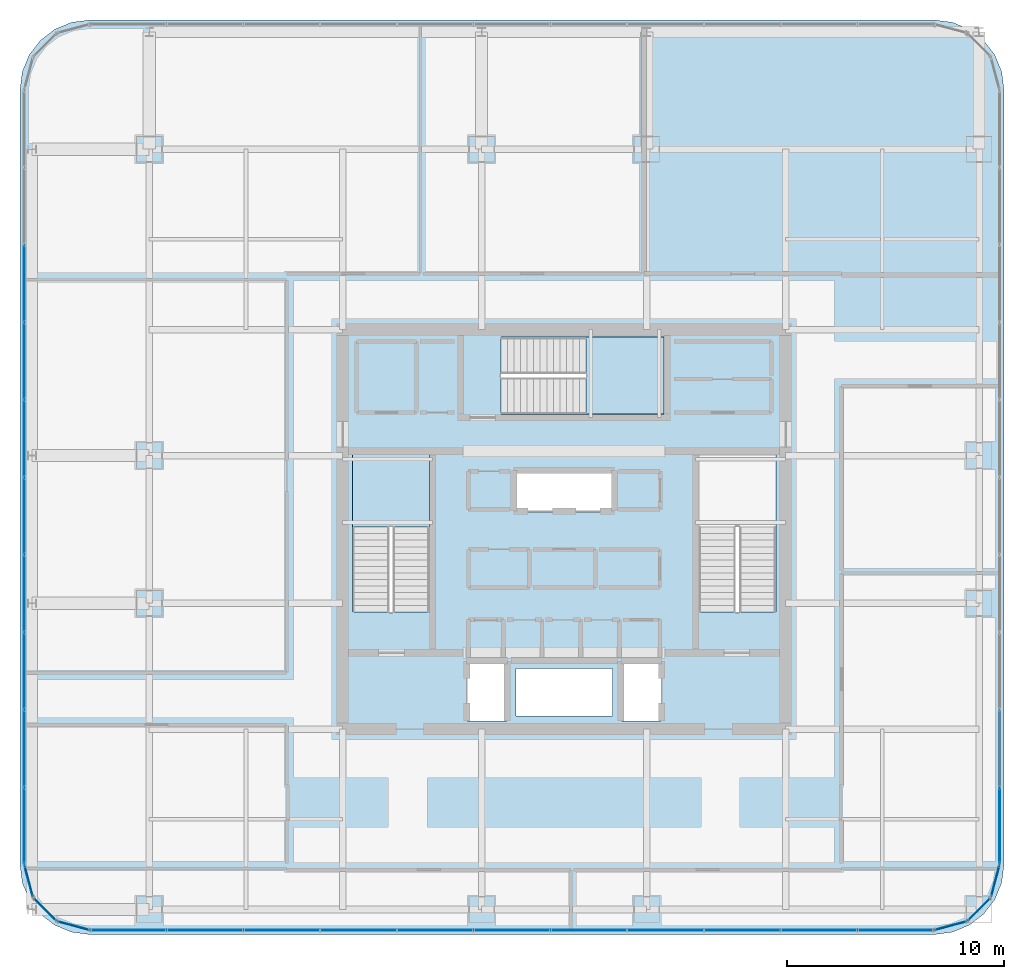
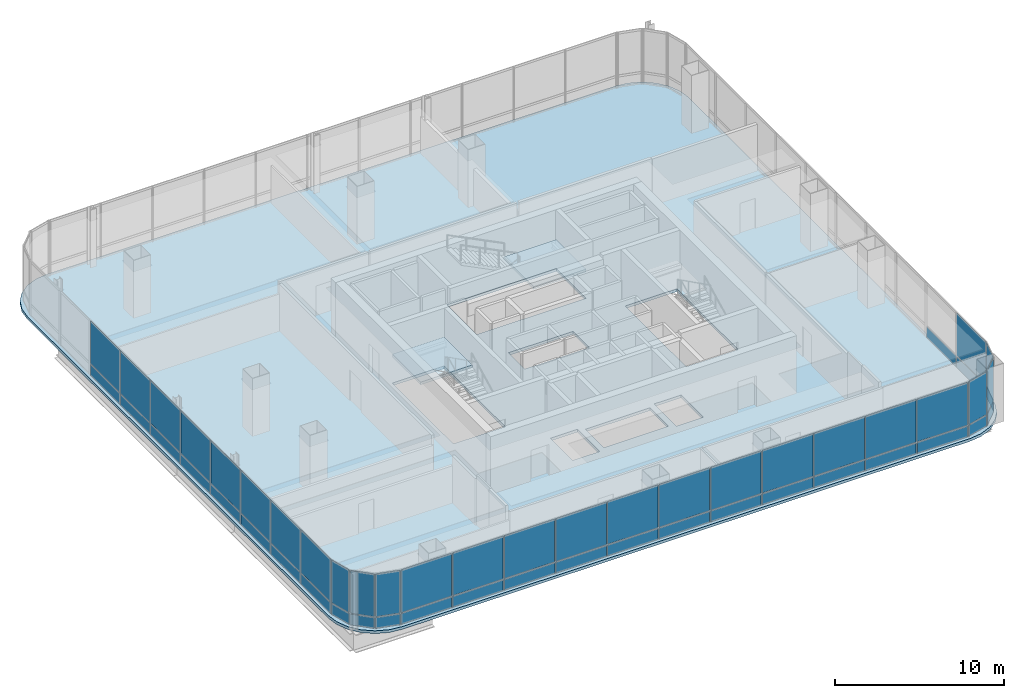
# One storey, part 32 of 41: 53 plates, 3 slabs, 11 elements without a shape of their own.
"""IFC4 building model written with IfcOpenShell, lengths in metres."""

import ifcopenshell
import ifcopenshell.guid

model = None  # the IFC model being written
_history = None  # IfcOwnerHistory: only IFC2X3 demands one
_inside = {}  # id of a spatial element -> (the spatial element, [elements in it])
_under = {}  # id of a project, library or spatial element -> (it, [spatial elements below it])
_declared = {}  # id of a project -> (the project, [libraries it declares])
_typed = {}  # id of a type object -> (the type object, [elements of that type])
_made_of = {}  # id of a material, layer set ... -> (it, [elements and type objects made of it])


def new_model(schema):
    """Start an empty IFC model of exactly this schema.

    Asked for "IFC4X3", IfcOpenShell would pick the latest addendum, in which some entities
    have other attributes; the version numbers below select the first issue.
    IFC2X3 requires an IfcOwnerHistory on every rooted entity: one is made here for all.
    """
    global model, _history
    if schema == "IFC4X3":
        model = ifcopenshell.file(schema_version=(4, 3, 0, 0))
    else:
        model = ifcopenshell.file(schema=schema)
    _inside.clear()
    _under.clear()
    _declared.clear()
    _typed.clear()
    _made_of.clear()
    _history = None
    if model.schema == "IFC2X3":
        org = make("IfcOrganization", Name="unknown")
        user = make(
            "IfcPersonAndOrganization",
            ThePerson=make("IfcPerson", FamilyName="unknown"),
            TheOrganization=org,
        )
        app = make(
            "IfcApplication",
            ApplicationDeveloper=org,
            Version="unknown",
            ApplicationFullName="unknown",
            ApplicationIdentifier="unknown",
        )
        _history = make(
            "IfcOwnerHistory",
            OwningUser=user,
            OwningApplication=app,
            ChangeAction="ADDED",
            CreationDate=0,
        )
    return model


def make(cls, **values):
    """One entity of the class cls with the attributes given. An attribute that is None is left unset."""
    return model.create_entity(
        cls, **{name: value for name, value in values.items() if value is not None}
    )


def rooted(cls, **values):
    """An entity with a GlobalId (a new one), such as an element, a storey or a relation."""
    return make(cls, GlobalId=ifcopenshell.guid.new(), OwnerHistory=_history, **values)


def si_unit(unit_type, name, prefix=None):
    """IfcSIUnit, for example si_unit("LENGTHUNIT", "METRE", prefix="MILLI")."""
    return make("IfcSIUnit", UnitType=unit_type, Prefix=prefix, Name=name)


def assignment(units):
    """IfcUnitAssignment: the units of a project."""
    return None if units is None else make("IfcUnitAssignment", Units=units)


def point(xyz):
    """IfcCartesianPoint."""
    return None if xyz is None else make("IfcCartesianPoint", Coordinates=xyz)


def direction(xyz):
    """IfcDirection."""
    return None if xyz is None else make("IfcDirection", DirectionRatios=xyz)


def frame(location, z_axis=None, x_axis=None):
    """IfcAxis2Placement3D, a coordinate frame: its origin and axes. An axis left out is left unset."""
    return make(
        "IfcAxis2Placement3D",
        Location=point(location),
        Axis=direction(z_axis),
        RefDirection=direction(x_axis),
    )


def frame_2d(location, x_axis=None):
    """IfcAxis2Placement2D, a coordinate frame in the plane: its origin and x axis."""
    return make(
        "IfcAxis2Placement2D", Location=point(location), RefDirection=direction(x_axis)
    )


def origin():
    """The frame at (0, 0, 0) with its axes left unset."""
    return frame((0.0, 0.0, 0.0))


def origin_2d():
    """The frame at (0, 0) in the plane with its x axis left unset."""
    return frame_2d((0.0, 0.0))


def place(relative_to, where):
    """IfcLocalPlacement: puts the frame where relative to a parent placement (None: the world)."""
    return make(
        "IfcLocalPlacement", PlacementRelTo=relative_to, RelativePlacement=where
    )


def context(
    kind, dimensions, precision=None, world=None, true_north=None, identifier=None
):
    """IfcGeometricRepresentationContext, for example the 3D "Model" context."""
    return make(
        "IfcGeometricRepresentationContext",
        ContextIdentifier=identifier,
        ContextType=kind,
        CoordinateSpaceDimension=dimensions,
        Precision=precision,
        WorldCoordinateSystem=world,
        TrueNorth=true_north,
    )


def subcontext(parent, identifier, kind, view, scale=None):
    """IfcGeometricRepresentationSubContext, for example "Body" below "Model"."""
    return make(
        "IfcGeometricRepresentationSubContext",
        ContextIdentifier=identifier,
        ContextType=kind,
        ParentContext=parent,
        TargetScale=scale,
        TargetView=view,
    )


def project(units=None, contexts=None):
    """IfcProject with its units and contexts."""
    return rooted(
        "IfcProject",
        Name="project",
        RepresentationContexts=contexts,
        UnitsInContext=assignment(units),
    )


def spatial(cls, under=None, at=None, **own):
    """A site, building, storey or space (cls), placed at a placement, below another one or the project."""
    s = rooted(cls, ObjectPlacement=at, **own)
    if under is not None:
        _under.setdefault(under.id(), (under, []))[1].append(s)
    return s


def polyline(points):
    """IfcPolyline through the points."""
    return make("IfcPolyline", Points=[point(p) for p in points])


def profile(cls, at=None, kind="AREA", **sizes):
    """A parametric profile (cls). Its sizes go by their IFC names, for example OverallWidth=200.0."""
    return make(cls, ProfileType=kind, Position=at, **sizes)


def rectangle(**sizes):
    """IfcRectangleProfileDef."""
    return profile("IfcRectangleProfileDef", **sizes)


def outline(outer, holes=None, kind="AREA"):
    """IfcArbitraryClosedProfileDef: a profile drawn as a closed curve; with holes, ...WithVoids."""
    if holes is None:
        return make("IfcArbitraryClosedProfileDef", ProfileType=kind, OuterCurve=outer)
    return make(
        "IfcArbitraryProfileDefWithVoids",
        ProfileType=kind,
        OuterCurve=outer,
        InnerCurves=holes,
    )


def extrude(swept, where, along, depth):
    """IfcExtrudedAreaSolid: the profile swept, set in the frame where, extruded along a direction by depth."""
    return make(
        "IfcExtrudedAreaSolid",
        SweptArea=swept,
        Position=where,
        ExtrudedDirection=direction(along),
        Depth=depth,
    )


def shape(context_of_items, identifier, shape_type, items):
    """IfcShapeRepresentation: the items that make up one representation, for example the "Body"."""
    return make(
        "IfcShapeRepresentation",
        ContextOfItems=context_of_items,
        RepresentationIdentifier=identifier,
        RepresentationType=shape_type,
        Items=items,
    )


def material(Name=None, Category=None):
    """IfcMaterial."""
    return make("IfcMaterial", Name=Name, Category=Category)


def layer(
    of_material, thickness, ventilated=None, Name=None, Category=None, Priority=None
):
    """IfcMaterialLayer: one layer of a wall or slab, of a material (None: an air gap)."""
    return make(
        "IfcMaterialLayer",
        Material=of_material,
        LayerThickness=thickness,
        IsVentilated=ventilated,
        Name=Name,
        Category=Category,
        Priority=Priority,
    )


def layer_set(layers, Name=None):
    """IfcMaterialLayerSet."""
    return make("IfcMaterialLayerSet", MaterialLayers=layers, LayerSetName=Name)


def made_of(thing, what):
    """Note that an element or type object is made of a material, layer set ...; save() writes the relation."""
    if what is not None:
        _made_of.setdefault(what.id(), (what, []))[1].append(thing)
    return thing


def type_object(cls, material=None, **own):
    """A type object (cls), such as IfcWallType, which elements share."""
    return made_of(rooted(cls, **own), material)


def element(
    cls,
    number,
    at=None,
    inside=None,
    cuts=None,
    type_object=None,
    material=None,
    context=None,
    identifier="Body",
    shape_type=None,
    held_by="IfcProductDefinitionShape",
    body=None,
    shapes=None,
    **own,
):
    """One element of the class cls, such as IfcWall. Its Tag is "e" and its number.

    at: its placement. inside: the storey or other place that contains it. cuts: it is an
    opening in that element (IfcRelVoidsElement). A single representation is given by context,
    identifier, shape_type and body (its items); several are given by shapes. held_by: the class
    of the entity that holds the representations. save() writes the other relations.
    """
    e = rooted(cls, Tag="e%d" % number, ObjectPlacement=at, **own)
    if body is not None:
        shapes = [shape(context, identifier, shape_type, body)]
    if shapes is not None:
        e.Representation = make(held_by, Representations=shapes)
    if inside is not None:
        _inside.setdefault(inside.id(), (inside, []))[1].append(e)
    if cuts is not None:
        rooted(
            "IfcRelVoidsElement", RelatingBuildingElement=cuts, RelatedOpeningElement=e
        )
    if type_object is not None:
        _typed.setdefault(type_object.id(), (type_object, []))[1].append(e)
    return made_of(e, material)


def aggregate(whole, parts):
    """IfcRelAggregates: a whole, such as a stair, and the parts it consists of."""
    return rooted("IfcRelAggregates", RelatingObject=whole, RelatedObjects=parts)


def save(model, path):
    """Write the relations noted so far, then the file.

    IfcRelAggregates (storeys below a building ...), IfcRelContainedInSpatialStructure (elements
    in a storey), IfcRelDefinesByType, IfcRelAssociatesMaterial and IfcRelDeclares: one each for
    every whole, place, type object, material and project.
    """
    for whole, parts in _under.values():
        aggregate(whole, parts)
    for where, things in _inside.values():
        rooted(
            "IfcRelContainedInSpatialStructure",
            RelatedElements=things,
            RelatingStructure=where,
        )
    for kind, things in _typed.values():
        rooted("IfcRelDefinesByType", RelatedObjects=things, RelatingType=kind)
    for what, things in _made_of.values():
        rooted("IfcRelAssociatesMaterial", RelatedObjects=things, RelatingMaterial=what)
    for by, libraries in _declared.values():
        rooted("IfcRelDeclares", RelatingContext=by, RelatedDefinitions=libraries)
    model.write(path)


model = new_model("IFC4")

# Units and contexts
model_context = context("Model", 3, precision=1e-05, world=origin(), true_north=direction((0.0, 1.0)))
body_context = subcontext(model_context, "Body", "Model", "MODEL_VIEW")
ifc_project = project(units=[si_unit("LENGTHUNIT", "METRE"), si_unit("AREAUNIT", "SQUARE_METRE"), si_unit("VOLUMEUNIT", "CUBIC_METRE"), si_unit("PLANEANGLEUNIT", "RADIAN"), si_unit("MASSUNIT", "GRAM", prefix="KILO")], contexts=[model_context])

# Site, building, storey
site_placement = place(None, origin())
site = spatial("IfcSite", under=ifc_project, at=site_placement, CompositionType="ELEMENT")
building_placement = place(site_placement, origin())
building = spatial("IfcBuilding", under=site, at=building_placement, Name="Punatoya Terracotta Tower", CompositionType="ELEMENT")
storey_placement = place(building_placement, frame((0.0, 0.0, 288.0)))
storey = spatial("IfcBuildingStorey", under=building, at=storey_placement, Name="L68", CompositionType="ELEMENT", Elevation=288.0)

# Curtain wall, plates
ifc_material_1 = material(Name="Aluminium 6063-T6 + Double Low-E Glass", Category="aluminium")
curtain_wall_type = type_object("IfcCurtainWallType", Name="CW-M3", PredefinedType="NOTDEFINED", material=ifc_material_1)
curtain_wall_1_placement = place(storey_placement, origin())
curtain_wall_1 = element("IfcCurtainWall", 1, at=curtain_wall_1_placement, inside=storey, type_object=curtain_wall_type, Name="L68 Curtain Wall CW-L68-S01-1", PredefinedType="NOTDEFINED")
ifc_material_2 = material(Name="Double Low-E Acoustic Vision Glass", Category="glass")
ifc_layer_1 = layer(ifc_material_2, 0.031982421875)
ifc_layer_set_1 = layer_set([ifc_layer_1], Name="Double Low-E Acoustic Vision Glass")
plate_type_1 = type_object("IfcPlateType", Name="PLT-GLZ-32", PredefinedType="CURTAIN_PANEL", material=ifc_layer_set_1)
plate_1_placement = place(storey_placement, frame((-20.06982421875, -18.449951171875, 0.89013671875), z_axis=(0.0, 0.0, 1.0), x_axis=(1.0, 0.0, 0.0)))
plate_1 = element("IfcPlate", 2, at=plate_1_placement, type_object=plate_type_1, Name="CW-L68-S01-1 Vision Glass Panel 1", PredefinedType="CURTAIN_PANEL", context=body_context, shape_type="SweptSolid", body=[
    extrude(rectangle(XDim=3.448974609375, YDim=0.031982421875, at=origin_2d()), origin(), (0.0, 0.0, 1.0), 3.070068359375),
])
plate_2_placement = place(storey_placement, frame((-16.535888671875, -18.449951171875, 0.89013671875), z_axis=(0.0, 0.0, 1.0), x_axis=(1.0, 0.0, 0.0)))
plate_2 = element("IfcPlate", 3, at=plate_2_placement, type_object=plate_type_1, Name="CW-L68-S01-1 Vision Glass Panel 2", PredefinedType="CURTAIN_PANEL", context=body_context, shape_type="SweptSolid", body=[
    extrude(rectangle(XDim=3.448974609375, YDim=0.031982421875, at=origin_2d()), origin(), (0.0, 0.0, 1.0), 3.070068359375),
])
plate_3_placement = place(storey_placement, frame((-13.001953125, -18.449951171875, 0.89013671875), z_axis=(0.0, 0.0, 1.0), x_axis=(1.0, 0.0, 0.0)))
plate_3 = element("IfcPlate", 4, at=plate_3_placement, type_object=plate_type_1, Name="CW-L68-S01-1 Vision Glass Panel 3", PredefinedType="CURTAIN_PANEL", context=body_context, shape_type="SweptSolid", body=[
    extrude(rectangle(XDim=3.448974609375, YDim=0.031982421875, at=origin_2d()), origin(), (0.0, 0.0, 1.0), 3.070068359375),
])
plate_4_placement = place(storey_placement, frame((-9.468017578125, -18.449951171875, 0.89013671875), z_axis=(0.0, 0.0, 1.0), x_axis=(1.0, 0.0, 0.0)))
plate_4 = element("IfcPlate", 5, at=plate_4_placement, type_object=plate_type_1, Name="CW-L68-S01-1 Vision Glass Panel 4", PredefinedType="CURTAIN_PANEL", context=body_context, shape_type="SweptSolid", body=[
    extrude(rectangle(XDim=3.448974609375, YDim=0.031982421875, at=origin_2d()), origin(), (0.0, 0.0, 1.0), 3.070068359375),
])
plate_5_placement = place(storey_placement, frame((-5.93408203125, -18.449951171875, 0.89013671875), z_axis=(0.0, 0.0, 1.0), x_axis=(1.0, 0.0, 0.0)))
plate_5 = element("IfcPlate", 6, at=plate_5_placement, type_object=plate_type_1, Name="CW-L68-S01-1 Vision Glass Panel 5", PredefinedType="CURTAIN_PANEL", context=body_context, shape_type="SweptSolid", body=[
    extrude(rectangle(XDim=3.448974609375, YDim=0.031982421875, at=origin_2d()), origin(), (0.0, 0.0, 1.0), 3.070068359375),
])
plate_6_placement = place(storey_placement, frame((-2.39990234375, -18.449951171875, 0.89013671875), z_axis=(0.0, 0.0, 1.0), x_axis=(1.0, 0.0, 0.0)))
plate_6 = element("IfcPlate", 7, at=plate_6_placement, type_object=plate_type_1, Name="CW-L68-S01-1 Vision Glass Panel 6", PredefinedType="CURTAIN_PANEL", context=body_context, shape_type="SweptSolid", body=[
    extrude(rectangle(XDim=3.448974609375, YDim=0.031982421875, at=origin_2d()), origin(), (0.0, 0.0, 1.0), 3.070068359375),
])
plate_7_placement = place(storey_placement, frame((1.134033203125, -18.449951171875, 0.89013671875), z_axis=(0.0, 0.0, 1.0), x_axis=(1.0, 0.0, 0.0)))
plate_7 = element("IfcPlate", 8, at=plate_7_placement, type_object=plate_type_1, Name="CW-L68-S01-1 Vision Glass Panel 7", PredefinedType="CURTAIN_PANEL", context=body_context, shape_type="SweptSolid", body=[
    extrude(rectangle(XDim=3.448974609375, YDim=0.031982421875, at=origin_2d()), origin(), (0.0, 0.0, 1.0), 3.070068359375),
])
plate_8_placement = place(storey_placement, frame((4.66796875, -18.449951171875, 0.89013671875), z_axis=(0.0, 0.0, 1.0), x_axis=(1.0, 0.0, 0.0)))
plate_8 = element("IfcPlate", 9, at=plate_8_placement, type_object=plate_type_1, Name="CW-L68-S01-1 Vision Glass Panel 8", PredefinedType="CURTAIN_PANEL", context=body_context, shape_type="SweptSolid", body=[
    extrude(rectangle(XDim=3.448974609375, YDim=0.031982421875, at=origin_2d()), origin(), (0.0, 0.0, 1.0), 3.070068359375),
])
plate_9_placement = place(storey_placement, frame((8.201904296875, -18.449951171875, 0.89013671875), z_axis=(0.0, 0.0, 1.0), x_axis=(1.0, 0.0, 0.0)))
plate_9 = element("IfcPlate", 10, at=plate_9_placement, type_object=plate_type_1, Name="CW-L68-S01-1 Vision Glass Panel 9", PredefinedType="CURTAIN_PANEL", context=body_context, shape_type="SweptSolid", body=[
    extrude(rectangle(XDim=3.448974609375, YDim=0.031982421875, at=origin_2d()), origin(), (0.0, 0.0, 1.0), 3.070068359375),
])
plate_10_placement = place(storey_placement, frame((11.73583984375, -18.449951171875, 0.89013671875), z_axis=(0.0, 0.0, 1.0), x_axis=(1.0, 0.0, 0.0)))
plate_10 = element("IfcPlate", 11, at=plate_10_placement, type_object=plate_type_1, Name="CW-L68-S01-1 Vision Glass Panel 10", PredefinedType="CURTAIN_PANEL", context=body_context, shape_type="SweptSolid", body=[
    extrude(rectangle(XDim=3.448974609375, YDim=0.031982421875, at=origin_2d()), origin(), (0.0, 0.0, 1.0), 3.070068359375),
])
plate_11_placement = place(storey_placement, frame((15.27001953125, -18.449951171875, 0.89013671875), z_axis=(0.0, 0.0, 1.0), x_axis=(1.0, 0.0, 0.0)))
plate_11 = element("IfcPlate", 12, at=plate_11_placement, type_object=plate_type_1, Name="CW-L68-S01-1 Vision Glass Panel 11", PredefinedType="CURTAIN_PANEL", context=body_context, shape_type="SweptSolid", body=[
    extrude(rectangle(XDim=3.448974609375, YDim=0.031982421875, at=origin_2d()), origin(), (0.0, 0.0, 1.0), 3.070068359375),
])

# Curtain wall, plate
curtain_wall_2_placement = place(storey_placement, origin())
curtain_wall_2 = element("IfcCurtainWall", 13, at=curtain_wall_2_placement, inside=storey, type_object=curtain_wall_type, Name="L68 Curtain Wall CW-L68-CRN02", PredefinedType="NOTDEFINED")
plate_12_placement = place(storey_placement, frame((17.79296875, -18.248291015625, 0.89013671875), z_axis=(0.0, 0.0, 1.0), x_axis=(0.966213877436, 0.257741620719, 0.0)))
plate_12 = element("IfcPlate", 14, at=plate_12_placement, type_object=plate_type_1, Name="CW-L68-CRN02 Vision Glass Panel 1", PredefinedType="CURTAIN_PANEL", context=body_context, shape_type="SweptSolid", body=[
    extrude(rectangle(XDim=1.47998046875, YDim=0.031982421875, at=origin_2d()), origin(), (0.0, 0.0, 1.0), 3.070068359375),
])

curtain_wall_3_placement = place(storey_placement, origin())
curtain_wall_3 = element("IfcCurtainWall", 15, at=curtain_wall_3_placement, inside=storey, type_object=curtain_wall_type, Name="L68 Curtain Wall CW-L68-CRN03", PredefinedType="NOTDEFINED")
plate_13_placement = place(storey_placement, frame((19.097900390625, -17.497802734375, 0.89013671875), z_axis=(0.0, 0.0, 1.0), x_axis=(0.707106781187, 0.707106781187, 0.0)))
plate_13 = element("IfcPlate", 16, at=plate_13_placement, type_object=plate_type_1, Name="CW-L68-CRN03 Vision Glass Panel 1", PredefinedType="CURTAIN_PANEL", context=body_context, shape_type="SweptSolid", body=[
    extrude(rectangle(XDim=1.467041015625, YDim=0.031982421875, at=origin_2d()), origin(), (0.0, 0.0, 1.0), 3.070068359375),
])

curtain_wall_4_placement = place(storey_placement, origin())
curtain_wall_4 = element("IfcCurtainWall", 17, at=curtain_wall_4_placement, inside=storey, type_object=curtain_wall_type, Name="L68 Curtain Wall CW-L68-CRN04", PredefinedType="NOTDEFINED")
plate_14_placement = place(storey_placement, frame((19.848388671875, -16.193115234375, 0.89013671875), z_axis=(0.0, 0.0, 1.0), x_axis=(0.257741620719, 0.966213877436, 0.0)))
plate_14 = element("IfcPlate", 18, at=plate_14_placement, type_object=plate_type_1, Name="CW-L68-CRN04 Vision Glass Panel 1", PredefinedType="CURTAIN_PANEL", context=body_context, shape_type="SweptSolid", body=[
    extrude(rectangle(XDim=1.47998046875, YDim=0.031982421875, at=origin_2d()), origin(), (0.0, 0.0, 1.0), 3.070068359375),
])

curtain_wall_5_placement = place(storey_placement, origin())
curtain_wall_5 = element("IfcCurtainWall", 19, at=curtain_wall_5_placement, inside=storey, type_object=curtain_wall_type, Name="L68 Curtain Wall CW-L68-E05-1", PredefinedType="NOTDEFINED")
plate_15_placement = place(storey_placement, frame((20.050048828125, -13.6533203125, 0.89013671875), z_axis=(0.0, 0.0, 1.0), x_axis=(0.0, 1.0, 0.0)))
plate_15 = element("IfcPlate", 20, at=plate_15_placement, type_object=plate_type_1, Name="CW-L68-E05-1 Vision Glass Panel 1", PredefinedType="CURTAIN_PANEL", context=body_context, shape_type="SweptSolid", body=[
    extrude(rectangle(XDim=3.482421875, YDim=0.031982421875, at=origin_2d()), origin(), (0.0, 0.0, 1.0), 3.070068359375),
])

# Curtain wall, plates
curtain_wall_6_placement = place(storey_placement, origin())
curtain_wall_6 = element("IfcCurtainWall", 21, at=curtain_wall_6_placement, inside=storey, type_object=curtain_wall_type, Name="L68 Curtain Wall CW-L68-W13-1", PredefinedType="NOTDEFINED")
plate_16_placement = place(storey_placement, frame((-24.85009765625, 11.318359375, 0.89013671875), z_axis=(0.0, 0.0, 1.0), x_axis=(0.0, -1.0, 0.0)))
plate_16 = element("IfcPlate", 22, at=plate_16_placement, type_object=plate_type_1, Name="CW-L68-W13-1 Vision Glass Panel 3", PredefinedType="CURTAIN_PANEL", context=body_context, shape_type="SweptSolid", body=[
    extrude(rectangle(XDim=3.482421875, YDim=0.031982421875, at=origin_2d()), origin(), (0.0, 0.0, 1.0), 3.070068359375),
])
plate_17_placement = place(storey_placement, frame((-24.85009765625, 7.751220703125, 0.89013671875), z_axis=(0.0, 0.0, 1.0), x_axis=(0.0, -1.0, 0.0)))
plate_17 = element("IfcPlate", 23, at=plate_17_placement, type_object=plate_type_1, Name="CW-L68-W13-1 Vision Glass Panel 4", PredefinedType="CURTAIN_PANEL", context=body_context, shape_type="SweptSolid", body=[
    extrude(rectangle(XDim=3.482421875, YDim=0.031982421875, at=origin_2d()), origin(), (0.0, 0.0, 1.0), 3.070068359375),
])
plate_18_placement = place(storey_placement, frame((-24.85009765625, 4.18359375, 0.89013671875), z_axis=(0.0, 0.0, 1.0), x_axis=(0.0, -1.0, 0.0)))
plate_18 = element("IfcPlate", 24, at=plate_18_placement, type_object=plate_type_1, Name="CW-L68-W13-1 Vision Glass Panel 5", PredefinedType="CURTAIN_PANEL", context=body_context, shape_type="SweptSolid", body=[
    extrude(rectangle(XDim=3.482421875, YDim=0.031982421875, at=origin_2d()), origin(), (0.0, 0.0, 1.0), 3.070068359375),
])
plate_19_placement = place(storey_placement, frame((-24.85009765625, 0.6162109375, 0.89013671875), z_axis=(0.0, 0.0, 1.0), x_axis=(0.0, -1.0, 0.0)))
plate_19 = element("IfcPlate", 25, at=plate_19_placement, type_object=plate_type_1, Name="CW-L68-W13-1 Vision Glass Panel 6", PredefinedType="CURTAIN_PANEL", context=body_context, shape_type="SweptSolid", body=[
    extrude(rectangle(XDim=3.482421875, YDim=0.031982421875, at=origin_2d()), origin(), (0.0, 0.0, 1.0), 3.070068359375),
])
plate_20_placement = place(storey_placement, frame((-24.85009765625, -2.951171875, 0.89013671875), z_axis=(0.0, 0.0, 1.0), x_axis=(0.0, -1.0, 0.0)))
plate_20 = element("IfcPlate", 26, at=plate_20_placement, type_object=plate_type_1, Name="CW-L68-W13-1 Vision Glass Panel 7", PredefinedType="CURTAIN_PANEL", context=body_context, shape_type="SweptSolid", body=[
    extrude(rectangle(XDim=3.482421875, YDim=0.031982421875, at=origin_2d()), origin(), (0.0, 0.0, 1.0), 3.070068359375),
])
plate_21_placement = place(storey_placement, frame((-24.85009765625, -6.518310546875, 0.89013671875), z_axis=(0.0, 0.0, 1.0), x_axis=(0.0, -1.0, 0.0)))
plate_21 = element("IfcPlate", 27, at=plate_21_placement, type_object=plate_type_1, Name="CW-L68-W13-1 Vision Glass Panel 8", PredefinedType="CURTAIN_PANEL", context=body_context, shape_type="SweptSolid", body=[
    extrude(rectangle(XDim=3.482421875, YDim=0.031982421875, at=origin_2d()), origin(), (0.0, 0.0, 1.0), 3.070068359375),
])
plate_22_placement = place(storey_placement, frame((-24.85009765625, -10.085693359375, 0.89013671875), z_axis=(0.0, 0.0, 1.0), x_axis=(0.0, -1.0, 0.0)))
plate_22 = element("IfcPlate", 28, at=plate_22_placement, type_object=plate_type_1, Name="CW-L68-W13-1 Vision Glass Panel 9", PredefinedType="CURTAIN_PANEL", context=body_context, shape_type="SweptSolid", body=[
    extrude(rectangle(XDim=3.482421875, YDim=0.031982421875, at=origin_2d()), origin(), (0.0, 0.0, 1.0), 3.070068359375),
])
plate_23_placement = place(storey_placement, frame((-24.85009765625, -13.6533203125, 0.89013671875), z_axis=(0.0, 0.0, 1.0), x_axis=(0.0, -1.0, 0.0)))
plate_23 = element("IfcPlate", 29, at=plate_23_placement, type_object=plate_type_1, Name="CW-L68-W13-1 Vision Glass Panel 10", PredefinedType="CURTAIN_PANEL", context=body_context, shape_type="SweptSolid", body=[
    extrude(rectangle(XDim=3.482421875, YDim=0.031982421875, at=origin_2d()), origin(), (0.0, 0.0, 1.0), 3.070068359375),
])

# Curtain wall, plate
curtain_wall_7_placement = place(storey_placement, origin())
curtain_wall_7 = element("IfcCurtainWall", 30, at=curtain_wall_7_placement, inside=storey, type_object=curtain_wall_type, Name="L68 Curtain Wall CW-L68-CRN14", PredefinedType="NOTDEFINED")
plate_24_placement = place(storey_placement, frame((-24.648193359375, -16.193115234375, 0.89013671875), z_axis=(0.0, 0.0, 1.0), x_axis=(0.257741620719, -0.966213877436, 0.0)))
plate_24 = element("IfcPlate", 31, at=plate_24_placement, type_object=plate_type_1, Name="CW-L68-CRN14 Vision Glass Panel 1", PredefinedType="CURTAIN_PANEL", context=body_context, shape_type="SweptSolid", body=[
    extrude(rectangle(XDim=1.47998046875, YDim=0.031982421875, at=origin_2d()), origin(), (0.0, 0.0, 1.0), 3.070068359375),
])

curtain_wall_8_placement = place(storey_placement, origin())
curtain_wall_8 = element("IfcCurtainWall", 32, at=curtain_wall_8_placement, inside=storey, type_object=curtain_wall_type, Name="L68 Curtain Wall CW-L68-CRN15", PredefinedType="NOTDEFINED")
plate_25_placement = place(storey_placement, frame((-23.89794921875, -17.497802734375, 0.89013671875), z_axis=(0.0, 0.0, 1.0), x_axis=(0.707106781187, -0.707106781187, 0.0)))
plate_25 = element("IfcPlate", 33, at=plate_25_placement, type_object=plate_type_1, Name="CW-L68-CRN15 Vision Glass Panel 1", PredefinedType="CURTAIN_PANEL", context=body_context, shape_type="SweptSolid", body=[
    extrude(rectangle(XDim=1.467041015625, YDim=0.031982421875, at=origin_2d()), origin(), (0.0, 0.0, 1.0), 3.070068359375),
])

curtain_wall_9_placement = place(storey_placement, origin())
curtain_wall_9 = element("IfcCurtainWall", 34, at=curtain_wall_9_placement, inside=storey, type_object=curtain_wall_type, Name="L68 Curtain Wall CW-L68-CRN16", PredefinedType="NOTDEFINED")
plate_26_placement = place(storey_placement, frame((-22.593017578125, -18.248291015625, 0.89013671875), z_axis=(0.0, 0.0, 1.0), x_axis=(0.966213877436, -0.257741620719, 0.0)))
plate_26 = element("IfcPlate", 35, at=plate_26_placement, type_object=plate_type_1, Name="CW-L68-CRN16 Vision Glass Panel 1", PredefinedType="CURTAIN_PANEL", context=body_context, shape_type="SweptSolid", body=[
    extrude(rectangle(XDim=1.47998046875, YDim=0.031982421875, at=origin_2d()), origin(), (0.0, 0.0, 1.0), 3.070068359375),
])

# Plate
ifc_material_3 = material(Name="Insulated Terracotta-Backed Spandrel Panel", Category="masonry")
ifc_layer_2 = layer(ifc_material_3, 0.044921875)
ifc_layer_set_2 = layer_set([ifc_layer_2], Name="Insulated Terracotta-Backed Spandrel Panel")
plate_type_2 = type_object("IfcPlateType", Name="PLT-SPN-45", PredefinedType="CURTAIN_PANEL", material=ifc_layer_set_2)
plate_27_placement = place(storey_placement, frame((-20.06982421875, -18.449951171875, 0.0400390625), z_axis=(0.0, 0.0, 1.0), x_axis=(1.0, 0.0, 0.0)))
plate_27 = element("IfcPlate", 36, at=plate_27_placement, type_object=plate_type_2, Name="CW-L68-S01-1 Terracotta Spandrel Panel 1", PredefinedType="CURTAIN_PANEL", context=body_context, shape_type="SweptSolid", body=[
    extrude(rectangle(XDim=3.448974609375, YDim=0.044921875, at=origin_2d()), origin(), (0.0, 0.0, 1.0), 0.77490234375),
])

plate_28_placement = place(storey_placement, frame((-16.535888671875, -18.449951171875, 0.0400390625), z_axis=(0.0, 0.0, 1.0), x_axis=(1.0, 0.0, 0.0)))
plate_28 = element("IfcPlate", 37, at=plate_28_placement, type_object=plate_type_2, Name="CW-L68-S01-1 Terracotta Spandrel Panel 2", PredefinedType="CURTAIN_PANEL", context=body_context, shape_type="SweptSolid", body=[
    extrude(rectangle(XDim=3.448974609375, YDim=0.044921875, at=origin_2d()), origin(), (0.0, 0.0, 1.0), 0.77490234375),
])

plate_29_placement = place(storey_placement, frame((-13.001953125, -18.449951171875, 0.0400390625), z_axis=(0.0, 0.0, 1.0), x_axis=(1.0, 0.0, 0.0)))
plate_29 = element("IfcPlate", 38, at=plate_29_placement, type_object=plate_type_2, Name="CW-L68-S01-1 Terracotta Spandrel Panel 3", PredefinedType="CURTAIN_PANEL", context=body_context, shape_type="SweptSolid", body=[
    extrude(rectangle(XDim=3.448974609375, YDim=0.044921875, at=origin_2d()), origin(), (0.0, 0.0, 1.0), 0.77490234375),
])

plate_30_placement = place(storey_placement, frame((-9.468017578125, -18.449951171875, 0.0400390625), z_axis=(0.0, 0.0, 1.0), x_axis=(1.0, 0.0, 0.0)))
plate_30 = element("IfcPlate", 39, at=plate_30_placement, type_object=plate_type_2, Name="CW-L68-S01-1 Terracotta Spandrel Panel 4", PredefinedType="CURTAIN_PANEL", context=body_context, shape_type="SweptSolid", body=[
    extrude(rectangle(XDim=3.448974609375, YDim=0.044921875, at=origin_2d()), origin(), (0.0, 0.0, 1.0), 0.77490234375),
])

plate_31_placement = place(storey_placement, frame((-5.93408203125, -18.449951171875, 0.0400390625), z_axis=(0.0, 0.0, 1.0), x_axis=(1.0, 0.0, 0.0)))
plate_31 = element("IfcPlate", 40, at=plate_31_placement, type_object=plate_type_2, Name="CW-L68-S01-1 Terracotta Spandrel Panel 5", PredefinedType="CURTAIN_PANEL", context=body_context, shape_type="SweptSolid", body=[
    extrude(rectangle(XDim=3.448974609375, YDim=0.044921875, at=origin_2d()), origin(), (0.0, 0.0, 1.0), 0.77490234375),
])

plate_32_placement = place(storey_placement, frame((-2.39990234375, -18.449951171875, 0.0400390625), z_axis=(0.0, 0.0, 1.0), x_axis=(1.0, 0.0, 0.0)))
plate_32 = element("IfcPlate", 41, at=plate_32_placement, type_object=plate_type_2, Name="CW-L68-S01-1 Terracotta Spandrel Panel 6", PredefinedType="CURTAIN_PANEL", context=body_context, shape_type="SweptSolid", body=[
    extrude(rectangle(XDim=3.448974609375, YDim=0.044921875, at=origin_2d()), origin(), (0.0, 0.0, 1.0), 0.77490234375),
])

plate_33_placement = place(storey_placement, frame((1.134033203125, -18.449951171875, 0.0400390625), z_axis=(0.0, 0.0, 1.0), x_axis=(1.0, 0.0, 0.0)))
plate_33 = element("IfcPlate", 42, at=plate_33_placement, type_object=plate_type_2, Name="CW-L68-S01-1 Terracotta Spandrel Panel 7", PredefinedType="CURTAIN_PANEL", context=body_context, shape_type="SweptSolid", body=[
    extrude(rectangle(XDim=3.448974609375, YDim=0.044921875, at=origin_2d()), origin(), (0.0, 0.0, 1.0), 0.77490234375),
])

plate_34_placement = place(storey_placement, frame((4.66796875, -18.449951171875, 0.0400390625), z_axis=(0.0, 0.0, 1.0), x_axis=(1.0, 0.0, 0.0)))
plate_34 = element("IfcPlate", 43, at=plate_34_placement, type_object=plate_type_2, Name="CW-L68-S01-1 Terracotta Spandrel Panel 8", PredefinedType="CURTAIN_PANEL", context=body_context, shape_type="SweptSolid", body=[
    extrude(rectangle(XDim=3.448974609375, YDim=0.044921875, at=origin_2d()), origin(), (0.0, 0.0, 1.0), 0.77490234375),
])

plate_35_placement = place(storey_placement, frame((8.201904296875, -18.449951171875, 0.0400390625), z_axis=(0.0, 0.0, 1.0), x_axis=(1.0, 0.0, 0.0)))
plate_35 = element("IfcPlate", 44, at=plate_35_placement, type_object=plate_type_2, Name="CW-L68-S01-1 Terracotta Spandrel Panel 9", PredefinedType="CURTAIN_PANEL", context=body_context, shape_type="SweptSolid", body=[
    extrude(rectangle(XDim=3.448974609375, YDim=0.044921875, at=origin_2d()), origin(), (0.0, 0.0, 1.0), 0.77490234375),
])

plate_36_placement = place(storey_placement, frame((11.73583984375, -18.449951171875, 0.0400390625), z_axis=(0.0, 0.0, 1.0), x_axis=(1.0, 0.0, 0.0)))
plate_36 = element("IfcPlate", 45, at=plate_36_placement, type_object=plate_type_2, Name="CW-L68-S01-1 Terracotta Spandrel Panel 10", PredefinedType="CURTAIN_PANEL", context=body_context, shape_type="SweptSolid", body=[
    extrude(rectangle(XDim=3.448974609375, YDim=0.044921875, at=origin_2d()), origin(), (0.0, 0.0, 1.0), 0.77490234375),
])

plate_37_placement = place(storey_placement, frame((15.27001953125, -18.449951171875, 0.0400390625), z_axis=(0.0, 0.0, 1.0), x_axis=(1.0, 0.0, 0.0)))
plate_37 = element("IfcPlate", 46, at=plate_37_placement, type_object=plate_type_2, Name="CW-L68-S01-1 Terracotta Spandrel Panel 11", PredefinedType="CURTAIN_PANEL", context=body_context, shape_type="SweptSolid", body=[
    extrude(rectangle(XDim=3.448974609375, YDim=0.044921875, at=origin_2d()), origin(), (0.0, 0.0, 1.0), 0.77490234375),
])

aggregate(curtain_wall_1, [plate_27, plate_1, plate_28, plate_2, plate_29, plate_3, plate_30, plate_4, plate_31, plate_5, plate_32, plate_6, plate_33, plate_7, plate_34, plate_8, plate_35, plate_9, plate_36, plate_10, plate_37, plate_11])

plate_38_placement = place(storey_placement, frame((17.79296875, -18.248291015625, 0.0400390625), z_axis=(0.0, 0.0, 1.0), x_axis=(0.966213877436, 0.257741620719, 0.0)))
plate_38 = element("IfcPlate", 47, at=plate_38_placement, type_object=plate_type_2, Name="CW-L68-CRN02 Terracotta Spandrel Panel 1", PredefinedType="CURTAIN_PANEL", context=body_context, shape_type="SweptSolid", body=[
    extrude(rectangle(XDim=1.47998046875, YDim=0.044921875, at=origin_2d()), origin(), (0.0, 0.0, 1.0), 0.77490234375),
])

aggregate(curtain_wall_2, [plate_38, plate_12])

plate_39_placement = place(storey_placement, frame((19.097900390625, -17.497802734375, 0.0400390625), z_axis=(0.0, 0.0, 1.0), x_axis=(0.707106781187, 0.707106781187, 0.0)))
plate_39 = element("IfcPlate", 48, at=plate_39_placement, type_object=plate_type_2, Name="CW-L68-CRN03 Terracotta Spandrel Panel 1", PredefinedType="CURTAIN_PANEL", context=body_context, shape_type="SweptSolid", body=[
    extrude(rectangle(XDim=1.467041015625, YDim=0.044921875, at=origin_2d()), origin(), (0.0, 0.0, 1.0), 0.77490234375),
])

aggregate(curtain_wall_3, [plate_39, plate_13])

plate_40_placement = place(storey_placement, frame((19.848388671875, -16.193115234375, 0.0400390625), z_axis=(0.0, 0.0, 1.0), x_axis=(0.257741620719, 0.966213877436, 0.0)))
plate_40 = element("IfcPlate", 49, at=plate_40_placement, type_object=plate_type_2, Name="CW-L68-CRN04 Terracotta Spandrel Panel 1", PredefinedType="CURTAIN_PANEL", context=body_context, shape_type="SweptSolid", body=[
    extrude(rectangle(XDim=1.47998046875, YDim=0.044921875, at=origin_2d()), origin(), (0.0, 0.0, 1.0), 0.77490234375),
])

aggregate(curtain_wall_4, [plate_40, plate_14])

plate_41_placement = place(storey_placement, frame((20.050048828125, -13.6533203125, 0.0400390625), z_axis=(0.0, 0.0, 1.0), x_axis=(0.0, 1.0, 0.0)))
plate_41 = element("IfcPlate", 50, at=plate_41_placement, type_object=plate_type_2, Name="CW-L68-E05-1 Terracotta Spandrel Panel 1", PredefinedType="CURTAIN_PANEL", context=body_context, shape_type="SweptSolid", body=[
    extrude(rectangle(XDim=3.482421875, YDim=0.044921875, at=origin_2d()), origin(), (0.0, 0.0, 1.0), 0.77490234375),
])

plate_42_placement = place(storey_placement, frame((20.050048828125, -10.085693359375, 0.0400390625), z_axis=(0.0, 0.0, 1.0), x_axis=(0.0, 1.0, 0.0)))
plate_42 = element("IfcPlate", 51, at=plate_42_placement, type_object=plate_type_2, Name="CW-L68-E05-1 Terracotta Spandrel Panel 2", PredefinedType="CURTAIN_PANEL", context=body_context, shape_type="SweptSolid", body=[
    extrude(rectangle(XDim=3.482421875, YDim=0.044921875, at=origin_2d()), origin(), (0.0, 0.0, 1.0), 0.77490234375),
])

aggregate(curtain_wall_5, [plate_41, plate_15, plate_42])

plate_43_placement = place(storey_placement, frame((-24.85009765625, 11.318359375, 0.0400390625), z_axis=(0.0, 0.0, 1.0), x_axis=(0.0, -1.0, 0.0)))
plate_43 = element("IfcPlate", 52, at=plate_43_placement, type_object=plate_type_2, Name="CW-L68-W13-1 Terracotta Spandrel Panel 3", PredefinedType="CURTAIN_PANEL", context=body_context, shape_type="SweptSolid", body=[
    extrude(rectangle(XDim=3.482421875, YDim=0.044921875, at=origin_2d()), origin(), (0.0, 0.0, 1.0), 0.77490234375),
])

plate_44_placement = place(storey_placement, frame((-24.85009765625, 7.751220703125, 0.0400390625), z_axis=(0.0, 0.0, 1.0), x_axis=(0.0, -1.0, 0.0)))
plate_44 = element("IfcPlate", 53, at=plate_44_placement, type_object=plate_type_2, Name="CW-L68-W13-1 Terracotta Spandrel Panel 4", PredefinedType="CURTAIN_PANEL", context=body_context, shape_type="SweptSolid", body=[
    extrude(rectangle(XDim=3.482421875, YDim=0.044921875, at=origin_2d()), origin(), (0.0, 0.0, 1.0), 0.77490234375),
])

plate_45_placement = place(storey_placement, frame((-24.85009765625, 4.18359375, 0.0400390625), z_axis=(0.0, 0.0, 1.0), x_axis=(0.0, -1.0, 0.0)))
plate_45 = element("IfcPlate", 54, at=plate_45_placement, type_object=plate_type_2, Name="CW-L68-W13-1 Terracotta Spandrel Panel 5", PredefinedType="CURTAIN_PANEL", context=body_context, shape_type="SweptSolid", body=[
    extrude(rectangle(XDim=3.482421875, YDim=0.044921875, at=origin_2d()), origin(), (0.0, 0.0, 1.0), 0.77490234375),
])

plate_46_placement = place(storey_placement, frame((-24.85009765625, 0.6162109375, 0.0400390625), z_axis=(0.0, 0.0, 1.0), x_axis=(0.0, -1.0, 0.0)))
plate_46 = element("IfcPlate", 55, at=plate_46_placement, type_object=plate_type_2, Name="CW-L68-W13-1 Terracotta Spandrel Panel 6", PredefinedType="CURTAIN_PANEL", context=body_context, shape_type="SweptSolid", body=[
    extrude(rectangle(XDim=3.482421875, YDim=0.044921875, at=origin_2d()), origin(), (0.0, 0.0, 1.0), 0.77490234375),
])

plate_47_placement = place(storey_placement, frame((-24.85009765625, -2.951171875, 0.0400390625), z_axis=(0.0, 0.0, 1.0), x_axis=(0.0, -1.0, 0.0)))
plate_47 = element("IfcPlate", 56, at=plate_47_placement, type_object=plate_type_2, Name="CW-L68-W13-1 Terracotta Spandrel Panel 7", PredefinedType="CURTAIN_PANEL", context=body_context, shape_type="SweptSolid", body=[
    extrude(rectangle(XDim=3.482421875, YDim=0.044921875, at=origin_2d()), origin(), (0.0, 0.0, 1.0), 0.77490234375),
])

plate_48_placement = place(storey_placement, frame((-24.85009765625, -6.518310546875, 0.0400390625), z_axis=(0.0, 0.0, 1.0), x_axis=(0.0, -1.0, 0.0)))
plate_48 = element("IfcPlate", 57, at=plate_48_placement, type_object=plate_type_2, Name="CW-L68-W13-1 Terracotta Spandrel Panel 8", PredefinedType="CURTAIN_PANEL", context=body_context, shape_type="SweptSolid", body=[
    extrude(rectangle(XDim=3.482421875, YDim=0.044921875, at=origin_2d()), origin(), (0.0, 0.0, 1.0), 0.77490234375),
])

plate_49_placement = place(storey_placement, frame((-24.85009765625, -10.085693359375, 0.0400390625), z_axis=(0.0, 0.0, 1.0), x_axis=(0.0, -1.0, 0.0)))
plate_49 = element("IfcPlate", 58, at=plate_49_placement, type_object=plate_type_2, Name="CW-L68-W13-1 Terracotta Spandrel Panel 9", PredefinedType="CURTAIN_PANEL", context=body_context, shape_type="SweptSolid", body=[
    extrude(rectangle(XDim=3.482421875, YDim=0.044921875, at=origin_2d()), origin(), (0.0, 0.0, 1.0), 0.77490234375),
])

plate_50_placement = place(storey_placement, frame((-24.85009765625, -13.6533203125, 0.0400390625), z_axis=(0.0, 0.0, 1.0), x_axis=(0.0, -1.0, 0.0)))
plate_50 = element("IfcPlate", 59, at=plate_50_placement, type_object=plate_type_2, Name="CW-L68-W13-1 Terracotta Spandrel Panel 10", PredefinedType="CURTAIN_PANEL", context=body_context, shape_type="SweptSolid", body=[
    extrude(rectangle(XDim=3.482421875, YDim=0.044921875, at=origin_2d()), origin(), (0.0, 0.0, 1.0), 0.77490234375),
])

aggregate(curtain_wall_6, [plate_43, plate_16, plate_44, plate_17, plate_45, plate_18, plate_46, plate_19, plate_47, plate_20, plate_48, plate_21, plate_49, plate_22, plate_50, plate_23])

plate_51_placement = place(storey_placement, frame((-24.648193359375, -16.193115234375, 0.0400390625), z_axis=(0.0, 0.0, 1.0), x_axis=(0.257741620719, -0.966213877436, 0.0)))
plate_51 = element("IfcPlate", 60, at=plate_51_placement, type_object=plate_type_2, Name="CW-L68-CRN14 Terracotta Spandrel Panel 1", PredefinedType="CURTAIN_PANEL", context=body_context, shape_type="SweptSolid", body=[
    extrude(rectangle(XDim=1.47998046875, YDim=0.044921875, at=origin_2d()), origin(), (0.0, 0.0, 1.0), 0.77490234375),
])

aggregate(curtain_wall_7, [plate_51, plate_24])

plate_52_placement = place(storey_placement, frame((-23.89794921875, -17.497802734375, 0.0400390625), z_axis=(0.0, 0.0, 1.0), x_axis=(0.707106781187, -0.707106781187, 0.0)))
plate_52 = element("IfcPlate", 61, at=plate_52_placement, type_object=plate_type_2, Name="CW-L68-CRN15 Terracotta Spandrel Panel 1", PredefinedType="CURTAIN_PANEL", context=body_context, shape_type="SweptSolid", body=[
    extrude(rectangle(XDim=1.467041015625, YDim=0.044921875, at=origin_2d()), origin(), (0.0, 0.0, 1.0), 0.77490234375),
])

aggregate(curtain_wall_8, [plate_52, plate_25])

plate_53_placement = place(storey_placement, frame((-22.593017578125, -18.248291015625, 0.0400390625), z_axis=(0.0, 0.0, 1.0), x_axis=(0.966213877436, -0.257741620719, 0.0)))
plate_53 = element("IfcPlate", 62, at=plate_53_placement, type_object=plate_type_2, Name="CW-L68-CRN16 Terracotta Spandrel Panel 1", PredefinedType="CURTAIN_PANEL", context=body_context, shape_type="SweptSolid", body=[
    extrude(rectangle(XDim=1.47998046875, YDim=0.044921875, at=origin_2d()), origin(), (0.0, 0.0, 1.0), 0.77490234375),
])

aggregate(curtain_wall_9, [plate_53, plate_26])

# Stair, slab
ifc_material_4 = material(Name="Concrete C40/50", Category="concrete")
stair_type_1 = type_object("IfcStairType", Name="STR-TER-1450", PredefinedType="HALF_TURN_STAIR", material=ifc_material_4)
stair_1_placement = place(storey_placement, origin())
stair_1 = element("IfcStair", 63, at=stair_1_placement, inside=storey, type_object=stair_type_1, Name="L68 Protected Core Exit Stair ST-3", PredefinedType="HALF_TURN_STAIR")
ifc_layer_3 = layer(ifc_material_4, 0.1650390625)
ifc_layer_set_3 = layer_set([ifc_layer_3], Name="Concrete C40/50")
slab_type_1 = type_object("IfcSlabType", Name="SLB-LND-165", PredefinedType="LANDING", material=ifc_layer_set_3)
slab_1_placement = place(storey_placement, frame((0.0, 0.0, 1.89990234375)))
slab_1 = element("IfcSlab", 64, at=slab_1_placement, type_object=slab_type_1, Name="ST-3 landing 1", PredefinedType="LANDING", context=body_context, shape_type="SweptSolid", body=[
    extrude(outline(polyline([(1.0, 5.300048828125), (4.60009765625, 5.300048828125), (4.60009765625, 8.85009765625), (1.0, 8.85009765625), (1.0, 5.300048828125)])), origin(), (0.0, 0.0, 1.0), 0.2001953125),
])
aggregate(stair_1, [slab_1])

stair_type_2 = type_object("IfcStairType", Name="STR-CORE-1550", PredefinedType="HALF_TURN_STAIR", material=ifc_material_4)
stair_2_placement = place(storey_placement, origin())
stair_2 = element("IfcStair", 65, at=stair_2_placement, inside=storey, type_object=stair_type_2, Name="L68 Protected Core Exit Stair ST-1", PredefinedType="HALF_TURN_STAIR")
ifc_layer_4 = layer(ifc_material_4, 0.179931640625)
ifc_layer_set_4 = layer_set([ifc_layer_4], Name="Concrete C40/50")
slab_type_2 = type_object("IfcSlabType", Name="SLB-LND-180", PredefinedType="LANDING", material=ifc_layer_set_4)
slab_2_placement = place(storey_placement, frame((0.0, 0.0, 1.89990234375)))
slab_2 = element("IfcSlab", 66, at=slab_2_placement, type_object=slab_type_2, Name="ST-1 landing 1", PredefinedType="LANDING", context=body_context, shape_type="SweptSolid", body=[
    extrude(outline(polyline([(-6.199951171875, 0.10009765625), (-6.199951171875, 3.449951171875), (-9.75, 3.449951171875), (-9.75, 0.10009765625), (-6.199951171875, 0.10009765625)])), origin(), (0.0, 0.0, 1.0), 0.2001953125),
])
aggregate(stair_2, [slab_2])

# Slab
ifc_layer_5 = layer(ifc_material_4, 0.199951171875)
ifc_layer_set_5 = layer_set([ifc_layer_5], Name="Concrete C40/50")
slab_type_3 = type_object("IfcSlabType", Name="SLB-OFF-200", PredefinedType="FLOOR", material=ifc_layer_set_5)
slab_3_placement = place(storey_placement, frame((0.0, 0.0, -0.199951171875)))
element("IfcSlab", 67, at=slab_3_placement, inside=storey, type_object=slab_type_3, Name="L68 Structural Floor Slab", PredefinedType="FLOOR", context=body_context, shape_type="SweptSolid", body=[
    extrude(outline(polyline([(-21.85009765625, -18.64990234375), (-22.67822265625, -18.541015625), (-23.449951171875, -18.22119140625), (-24.11279296875, -17.712646484375), (-24.621337890625, -17.050048828125), (-24.94091796875, -16.2783203125), (-25.050048828125, -15.449951171875), (-25.050048828125, 20.25), (-24.94091796875, 21.078125), (-24.621337890625, 21.85009765625), (-24.11279296875, 22.5126953125), (-23.449951171875, 23.021240234375), (-22.67822265625, 23.341064453125), (-21.85009765625, 23.449951171875), (17.050048828125, 23.449951171875), (17.878173828125, 23.341064453125), (18.64990234375, 23.021240234375), (19.312744140625, 22.5126953125), (19.8212890625, 21.85009765625), (20.14111328125, 21.078125), (20.25, 20.25), (20.25, -15.449951171875), (20.14111328125, -16.2783203125), (19.8212890625, -17.050048828125), (19.312744140625, -17.712646484375), (18.64990234375, -18.22119140625), (17.878173828125, -18.541015625), (17.050048828125, -18.64990234375), (-21.85009765625, -18.64990234375)]), holes=[polyline([(-2.6298828125, -6.179931640625), (-4.469970703125, -6.179931640625), (-4.469970703125, -8.820068359375), (-2.6298828125, -8.820068359375), (-2.6298828125, -6.179931640625)]), polyline([(-0.02001953125, -6.405029296875), (-2.219970703125, -6.405029296875), (-2.219970703125, -8.594970703125), (-0.02001953125, -8.594970703125), (0.02001953125, -8.594970703125), (2.219970703125, -8.594970703125), (2.219970703125, -6.405029296875), (0.02001953125, -6.405029296875), (-0.02001953125, -6.405029296875)]), polyline([(4.469970703125, -6.179931640625), (2.6298828125, -6.179931640625), (2.6298828125, -8.820068359375), (4.469970703125, -8.820068359375), (4.469970703125, -6.179931640625)]), polyline([(-9.75, 3.449951171875), (-9.75, -3.79931640625), (-6.199951171875, -3.79931640625), (-6.199951171875, 3.449951171875), (-9.75, 3.449951171875)]), polyline([(6.199951171875, 3.449951171875), (6.199951171875, -3.79931640625), (9.75, -3.79931640625), (9.75, 3.449951171875), (6.199951171875, 3.449951171875)]), polyline([(-2.219970703125, 2.719970703125), (-2.219970703125, 0.780029296875), (-0.02001953125, 0.780029296875), (0.02001953125, 0.780029296875), (2.219970703125, 0.780029296875), (2.219970703125, 2.719970703125), (0.02001953125, 2.719970703125), (-0.02001953125, 2.719970703125), (-2.219970703125, 2.719970703125)]), polyline([(4.60009765625, 5.300048828125), (4.60009765625, 8.85009765625), (-2.899169921875, 8.85009765625), (-2.899169921875, 5.300048828125), (4.60009765625, 5.300048828125)])]), origin(), (0.0, 0.0, 1.0), 0.199951171875),
])

save(model, "model.ifc")
